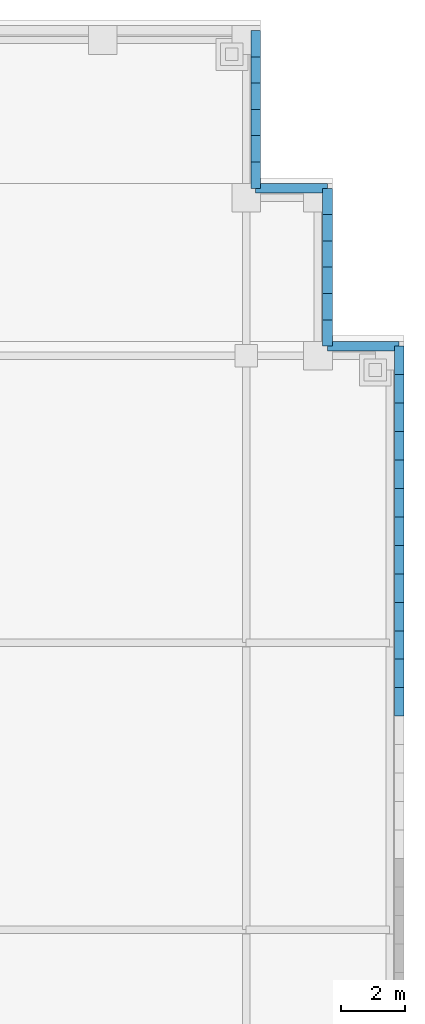
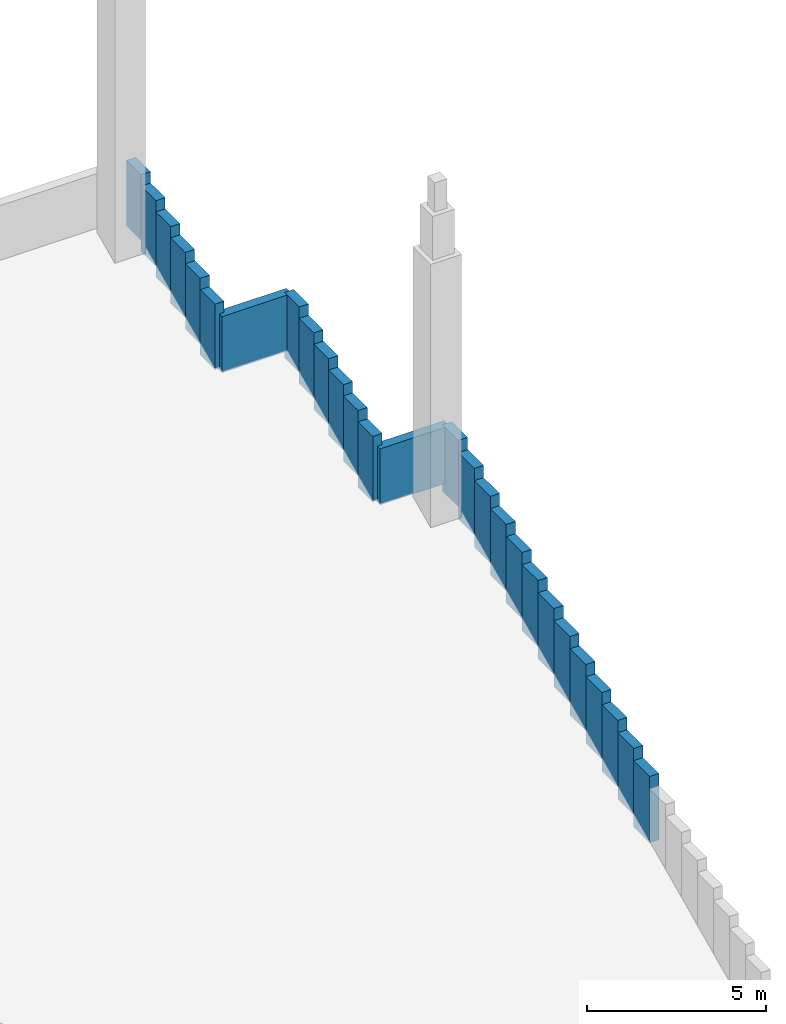
# One storey, part 4 of 5: 27 walls.
"""IFC4 building model written with IfcOpenShell, lengths in metres."""

from ifc_helpers import new_model, si_unit, direction, frame, frame_2d, origin, place, context, subcontext, project, spatial, rectangle, extrude, material, layer, layer_set, type_object, element, save


model = new_model("IFC4")

# Units and contexts
model_context = context("Model", 3, precision=1e-05, world=origin(), true_north=direction((0.0, 1.0)))
body_context = subcontext(model_context, "Body", "Model", "MODEL_VIEW")
ifc_project = project(units=[si_unit("LENGTHUNIT", "METRE"), si_unit("AREAUNIT", "SQUARE_METRE"), si_unit("VOLUMEUNIT", "CUBIC_METRE"), si_unit("PLANEANGLEUNIT", "RADIAN"), si_unit("MASSUNIT", "GRAM", prefix="KILO")], contexts=[model_context])

# Site, building, storey
site_placement = place(None, origin())
site = spatial("IfcSite", under=ifc_project, at=site_placement, CompositionType="ELEMENT")
building_placement = place(site_placement, origin())
building = spatial("IfcBuilding", under=site, at=building_placement, Name="Corbelhall Arena Tower", CompositionType="ELEMENT")
storey_placement = place(building_placement, frame((0.0, 0.0, 391.0)))
storey = spatial("IfcBuildingStorey", under=building, at=storey_placement, Name="Roof", CompositionType="ELEMENT", Elevation=391.0)

# Walls
ifc_material = material(Name="Precast concrete C40/50 with granite facing", Category="masonry")
ifc_layer = layer(ifc_material, 0.300048828125)
ifc_layer_set = layer_set([ifc_layer], Name="EV-IW3 Parapet 300")
wall_type = type_object("IfcWallType", Name="EV-IW3 Parapet 300", PredefinedType="SOLIDWALL", material=ifc_layer_set)
wall_1_placement = place(storey_placement, frame((22.800048828125, 28.199951171875, 6.75537109375), z_axis=(0.0, 0.0, 1.0), x_axis=(0.0, -1.0, 0.0)))
element("IfcWall", 1, at=wall_1_placement, inside=storey, type_object=wall_type, Name="Roof parapet", PredefinedType="SOLIDWALL", context=body_context, shape_type="SweptSolid", body=[
    extrude(rectangle(XDim=0.824951171875, YDim=0.300048828125, at=frame_2d((0.41259765625, 0.0))), origin(), (0.0, 0.0, 1.0), 2.234375),
])
wall_2_placement = place(storey_placement, frame((22.800048828125, 27.375, 6.370849609375), z_axis=(0.0, 0.0, 1.0), x_axis=(0.0, -1.0, 0.0)))
element("IfcWall", 2, at=wall_2_placement, inside=storey, type_object=wall_type, Name="Roof parapet", PredefinedType="SOLIDWALL", context=body_context, shape_type="SweptSolid", body=[
    extrude(rectangle(XDim=0.824951171875, YDim=0.300048828125, at=frame_2d((0.41259765625, 0.0))), origin(), (0.0, 0.0, 1.0), 2.234619140625),
])
wall_3_placement = place(storey_placement, frame((22.800048828125, 26.550048828125, 5.986572265625), z_axis=(0.0, 0.0, 1.0), x_axis=(0.0, -1.0, 0.0)))
element("IfcWall", 3, at=wall_3_placement, inside=storey, type_object=wall_type, Name="Roof parapet", PredefinedType="SOLIDWALL", context=body_context, shape_type="SweptSolid", body=[
    extrude(rectangle(XDim=0.824951171875, YDim=0.300048828125, at=frame_2d((0.41259765625, 0.0))), origin(), (0.0, 0.0, 1.0), 2.234375),
])
wall_4_placement = place(storey_placement, frame((22.800048828125, 25.72509765625, 5.60205078125), z_axis=(0.0, 0.0, 1.0), x_axis=(0.0, -1.0, 0.0)))
element("IfcWall", 4, at=wall_4_placement, inside=storey, type_object=wall_type, Name="Roof parapet", PredefinedType="SOLIDWALL", context=body_context, shape_type="SweptSolid", body=[
    extrude(rectangle(XDim=0.8251953125, YDim=0.300048828125, at=frame_2d((0.41259765625, 0.0))), origin(), (0.0, 0.0, 1.0), 2.234619140625),
])
for number, where, z_axis, x_axis, name in (
    (5, (22.800048828125, 24.89990234375, 5.2177734375), (0.0, 0.0, 1.0), (0.0, -1.0, 0.0), "Roof parapet"),
    (6, (22.800048828125, 24.074951171875, 4.833251953125), (0.0, 0.0, 1.0), (0.0, -1.0, 0.0), "Roof parapet"),
):
    element("IfcWall", number, at=place(storey_placement, frame(where, z_axis=z_axis, x_axis=x_axis)), inside=storey, type_object=wall_type, Name=name, PredefinedType="SOLIDWALL", context=body_context, shape_type="SweptSolid", body=[
        extrude(rectangle(XDim=0.824951171875, YDim=0.300048828125, at=frame_2d((0.41259765625, 0.0))), origin(), (0.0, 0.0, 1.0), 2.234375),
    ])
wall_5_placement = place(storey_placement, frame((22.800048828125, 23.25, 4.763427734375), z_axis=(0.0, 0.0, 1.0), x_axis=(1.0, 0.0, 0.0)))
element("IfcWall", 7, at=wall_5_placement, inside=storey, type_object=wall_type, Name="Roof parapet", PredefinedType="SOLIDWALL", context=body_context, shape_type="SweptSolid", body=[
    extrude(rectangle(XDim=2.25, YDim=0.300048828125, at=frame_2d((1.125, 0.0))), origin(), (0.0, 0.0, 1.0), 1.919921875),
])
for number, where, z_axis, x_axis, name in (
    (8, (25.050048828125, 23.25, 4.448974609375), (0.0, 0.0, 1.0), (0.0, -1.0, 0.0), "Roof parapet"),
    (9, (25.050048828125, 22.425048828125, 4.064453125), (0.0, 0.0, 1.0), (0.0, -1.0, 0.0), "Roof parapet"),
):
    element("IfcWall", number, at=place(storey_placement, frame(where, z_axis=z_axis, x_axis=x_axis)), inside=storey, type_object=wall_type, Name=name, PredefinedType="SOLIDWALL", context=body_context, shape_type="SweptSolid", body=[
        extrude(rectangle(XDim=0.824951171875, YDim=0.300048828125, at=frame_2d((0.41259765625, 0.0))), origin(), (0.0, 0.0, 1.0), 2.234375),
    ])
wall_6_placement = place(storey_placement, frame((25.050048828125, 21.60009765625, 3.68017578125), z_axis=(0.0, 0.0, 1.0), x_axis=(0.0, -1.0, 0.0)))
element("IfcWall", 10, at=wall_6_placement, inside=storey, type_object=wall_type, Name="Roof parapet", PredefinedType="SOLIDWALL", context=body_context, shape_type="SweptSolid", body=[
    extrude(rectangle(XDim=0.8251953125, YDim=0.300048828125, at=frame_2d((0.41259765625, 0.0))), origin(), (0.0, 0.0, 1.0), 2.234375),
])
for number, where, z_axis, x_axis, name in (
    (11, (25.050048828125, 20.77490234375, 3.295654296875), (0.0, 0.0, 1.0), (0.0, -1.0, 0.0), "Roof parapet"),
    (12, (25.050048828125, 19.949951171875, 2.911376953125), (0.0, 0.0, 1.0), (0.0, -1.0, 0.0), "Roof parapet"),
    (13, (25.050048828125, 19.125, 2.52685546875), (0.0, 0.0, 1.0), (0.0, -1.0, 0.0), "Roof parapet"),
):
    element("IfcWall", number, at=place(storey_placement, frame(where, z_axis=z_axis, x_axis=x_axis)), inside=storey, type_object=wall_type, Name=name, PredefinedType="SOLIDWALL", context=body_context, shape_type="SweptSolid", body=[
        extrude(rectangle(XDim=0.824951171875, YDim=0.300048828125, at=frame_2d((0.41259765625, 0.0))), origin(), (0.0, 0.0, 1.0), 2.234375),
    ])
wall_7_placement = place(storey_placement, frame((25.050048828125, 18.300048828125, 2.45703125), z_axis=(0.0, 0.0, 1.0), x_axis=(1.0, 0.0, 0.0)))
element("IfcWall", 14, at=wall_7_placement, inside=storey, type_object=wall_type, Name="Roof parapet", PredefinedType="SOLIDWALL", context=body_context, shape_type="SweptSolid", body=[
    extrude(rectangle(XDim=2.25, YDim=0.300048828125, at=frame_2d((1.125, 0.0))), origin(), (0.0, 0.0, 1.0), 1.919921875),
])
wall_8_placement = place(storey_placement, frame((27.300048828125, 18.300048828125, 2.11083984375), z_axis=(0.0, 0.0, 1.0), x_axis=(0.0, -1.0, 0.0)))
element("IfcWall", 15, at=wall_8_placement, inside=storey, type_object=wall_type, Name="Roof parapet", PredefinedType="SOLIDWALL", context=body_context, shape_type="SweptSolid", body=[
    extrude(rectangle(XDim=0.892822265625, YDim=0.300048828125, at=frame_2d((0.4462890625, 0.0))), origin(), (0.0, 0.0, 1.0), 2.26611328125),
])
for number, where, z_axis, x_axis, name in (
    (16, (27.300048828125, 17.4072265625, 1.695068359375), (0.0, 0.0, 1.0), (0.0, -1.0, 0.0), "Roof parapet"),
    (17, (27.300048828125, 16.5146484375, 1.279052734375), (0.0, 0.0, 1.0), (0.0, -1.0, 0.0), "Roof parapet"),
):
    element("IfcWall", number, at=place(storey_placement, frame(where, z_axis=z_axis, x_axis=x_axis)), inside=storey, type_object=wall_type, Name=name, PredefinedType="SOLIDWALL", context=body_context, shape_type="SweptSolid", body=[
        extrude(rectangle(XDim=0.892578125, YDim=0.300048828125, at=frame_2d((0.4462890625, 0.0))), origin(), (0.0, 0.0, 1.0), 2.265869140625),
    ])
wall_9_placement = place(storey_placement, frame((27.300048828125, 15.6220703125, 0.863037109375), z_axis=(0.0, 0.0, 1.0), x_axis=(0.0, -1.0, 0.0)))
element("IfcWall", 18, at=wall_9_placement, inside=storey, type_object=wall_type, Name="Roof parapet", PredefinedType="SOLIDWALL", context=body_context, shape_type="SweptSolid", body=[
    extrude(rectangle(XDim=0.892822265625, YDim=0.300048828125, at=frame_2d((0.4462890625, 0.0))), origin(), (0.0, 0.0, 1.0), 2.26611328125),
])
wall_10_placement = place(storey_placement, frame((27.300048828125, 14.729248046875, 0.447265625), z_axis=(0.0, 0.0, 1.0), x_axis=(0.0, -1.0, 0.0)))
element("IfcWall", 19, at=wall_10_placement, inside=storey, type_object=wall_type, Name="Roof parapet", PredefinedType="SOLIDWALL", context=body_context, shape_type="SweptSolid", body=[
    extrude(rectangle(XDim=0.892578125, YDim=0.300048828125, at=frame_2d((0.4462890625, 0.0))), origin(), (0.0, 0.0, 1.0), 2.265869140625),
])
wall_11_placement = place(storey_placement, frame((27.300048828125, 13.836669921875, 0.03125), z_axis=(0.0, 0.0, 1.0), x_axis=(0.0, -1.0, 0.0)))
element("IfcWall", 20, at=wall_11_placement, inside=storey, type_object=wall_type, Name="Roof parapet", PredefinedType="SOLIDWALL", context=body_context, shape_type="SweptSolid", body=[
    extrude(rectangle(XDim=0.892822265625, YDim=0.300048828125, at=frame_2d((0.4462890625, 0.0))), origin(), (0.0, 0.0, 1.0), 2.265869140625),
])
wall_12_placement = place(storey_placement, frame((27.300048828125, 12.94384765625, -0.384765625), z_axis=(0.0, 0.0, 1.0), x_axis=(0.0, -1.0, 0.0)))
element("IfcWall", 21, at=wall_12_placement, inside=storey, type_object=wall_type, Name="Roof parapet", PredefinedType="SOLIDWALL", context=body_context, shape_type="SweptSolid", body=[
    extrude(rectangle(XDim=0.892578125, YDim=0.300048828125, at=frame_2d((0.4462890625, 0.0))), origin(), (0.0, 0.0, 1.0), 2.265869140625),
])
wall_13_placement = place(storey_placement, frame((27.300048828125, 12.05126953125, -0.80078125), z_axis=(0.0, 0.0, 1.0), x_axis=(0.0, -1.0, 0.0)))
element("IfcWall", 22, at=wall_13_placement, inside=storey, type_object=wall_type, Name="Roof parapet", PredefinedType="SOLIDWALL", context=body_context, shape_type="SweptSolid", body=[
    extrude(rectangle(XDim=0.892822265625, YDim=0.300048828125, at=frame_2d((0.4462890625, 0.0))), origin(), (0.0, 0.0, 1.0), 2.26611328125),
])
for number, where, z_axis, x_axis, name in (
    (23, (27.300048828125, 11.158447265625, -1.216552734375), (0.0, 0.0, 1.0), (0.0, -1.0, 0.0), "Roof parapet"),
    (24, (27.300048828125, 10.265869140625, -1.632568359375), (0.0, 0.0, 1.0), (0.0, -1.0, 0.0), "Roof parapet"),
):
    element("IfcWall", number, at=place(storey_placement, frame(where, z_axis=z_axis, x_axis=x_axis)), inside=storey, type_object=wall_type, Name=name, PredefinedType="SOLIDWALL", context=body_context, shape_type="SweptSolid", body=[
        extrude(rectangle(XDim=0.892578125, YDim=0.300048828125, at=frame_2d((0.4462890625, 0.0))), origin(), (0.0, 0.0, 1.0), 2.265869140625),
    ])
wall_14_placement = place(storey_placement, frame((27.300048828125, 9.373291015625, -2.048583984375), z_axis=(0.0, 0.0, 1.0), x_axis=(0.0, -1.0, 0.0)))
element("IfcWall", 25, at=wall_14_placement, inside=storey, type_object=wall_type, Name="Roof parapet", PredefinedType="SOLIDWALL", context=body_context, shape_type="SweptSolid", body=[
    extrude(rectangle(XDim=0.892822265625, YDim=0.300048828125, at=frame_2d((0.4462890625, 0.0))), origin(), (0.0, 0.0, 1.0), 2.26611328125),
])
wall_15_placement = place(storey_placement, frame((27.300048828125, 8.48046875, -2.46435546875), z_axis=(0.0, 0.0, 1.0), x_axis=(0.0, -1.0, 0.0)))
element("IfcWall", 26, at=wall_15_placement, inside=storey, type_object=wall_type, Name="Roof parapet", PredefinedType="SOLIDWALL", context=body_context, shape_type="SweptSolid", body=[
    extrude(rectangle(XDim=0.892578125, YDim=0.300048828125, at=frame_2d((0.4462890625, 0.0))), origin(), (0.0, 0.0, 1.0), 2.265869140625),
])
wall_16_placement = place(storey_placement, frame((27.300048828125, 7.587890625, -2.88037109375), z_axis=(0.0, 0.0, 1.0), x_axis=(0.0, -1.0, 0.0)))
element("IfcWall", 27, at=wall_16_placement, inside=storey, type_object=wall_type, Name="Roof parapet", PredefinedType="SOLIDWALL", context=body_context, shape_type="SweptSolid", body=[
    extrude(rectangle(XDim=0.892822265625, YDim=0.300048828125, at=frame_2d((0.4462890625, 0.0))), origin(), (0.0, 0.0, 1.0), 2.265869140625),
])

save(model, "model.ifc")
